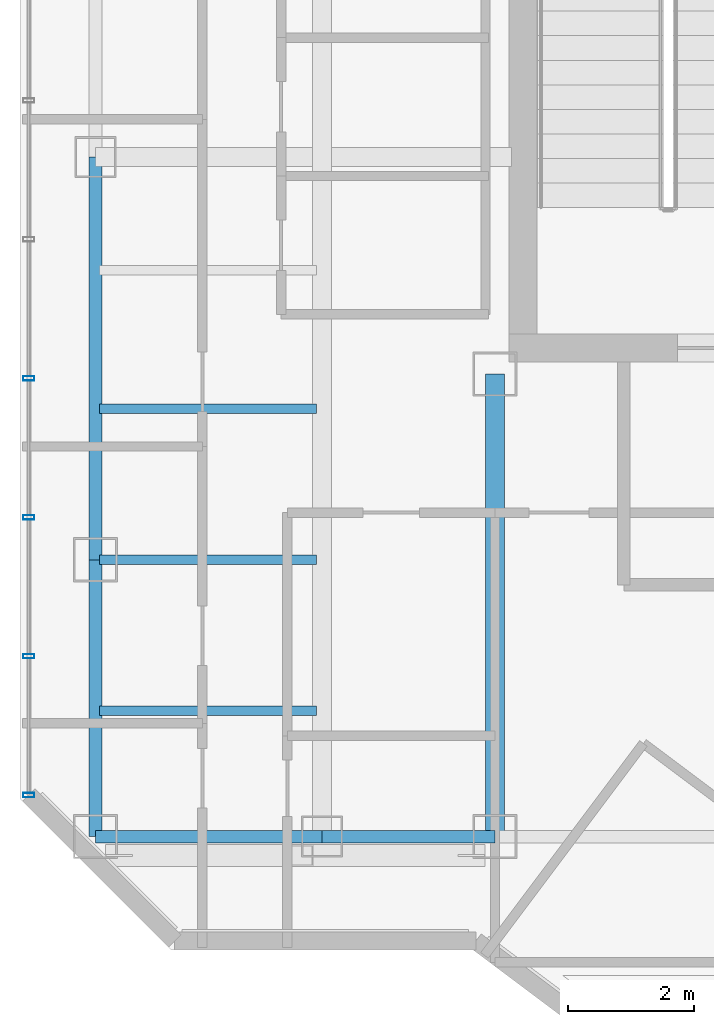
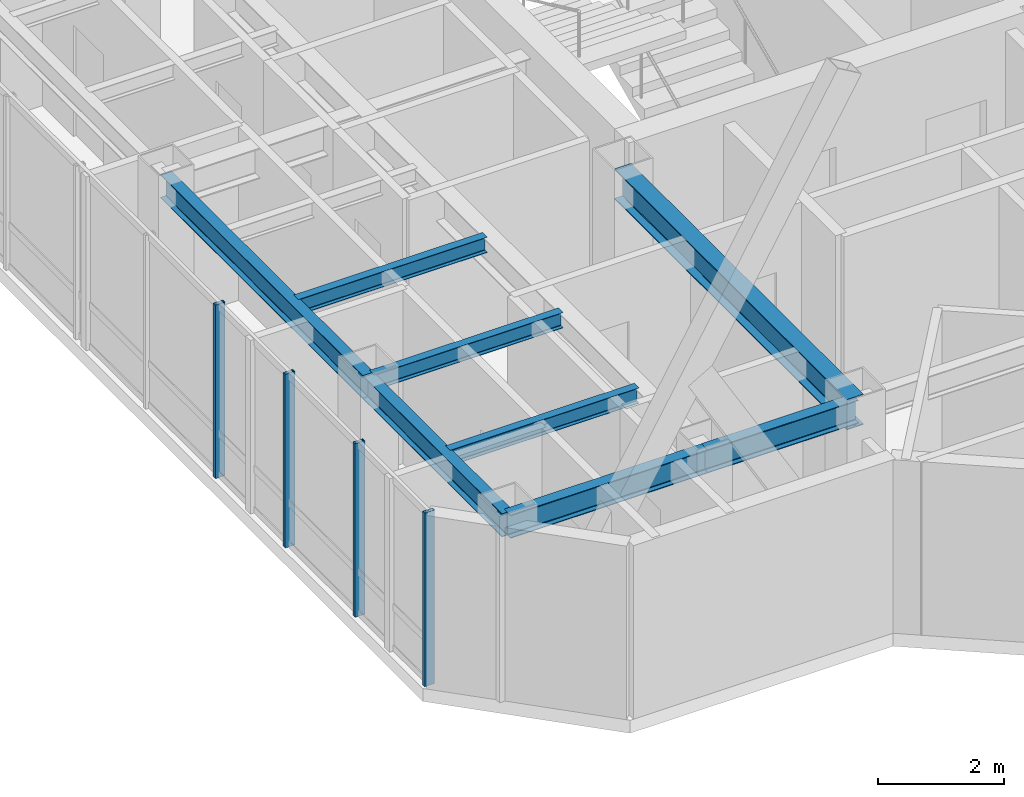
# One storey, part 4 of 25: 8 beams, 4 members, 1 element without a shape of its own.
"""IFC4 building model written with IfcOpenShell, lengths in metres."""

from ifc_helpers import new_model, si_unit, direction, frame, origin, origin_2d, place, context, subcontext, project, spatial, hollow_rectangle, i_section, extrude, material, layer, layer_set, material_profile, profile_set, type_object, element, aggregate, save


model = new_model("IFC4")

# Units and contexts
model_context = context("Model", 3, precision=1e-05, world=origin(), true_north=direction((0.0, 1.0)))
body_context = subcontext(model_context, "Body", "Model", "MODEL_VIEW")
ifc_project = project(units=[si_unit("LENGTHUNIT", "METRE"), si_unit("AREAUNIT", "SQUARE_METRE"), si_unit("VOLUMEUNIT", "CUBIC_METRE"), si_unit("PLANEANGLEUNIT", "RADIAN"), si_unit("MASSUNIT", "GRAM", prefix="KILO")], contexts=[model_context])

# Site, building, storey
site_placement = place(None, origin())
site = spatial("IfcSite", under=ifc_project, at=site_placement, CompositionType="ELEMENT")
building_placement = place(site_placement, origin())
building = spatial("IfcBuilding", under=site, at=building_placement, Name="Hatsunagi Terrace Concourse", CompositionType="ELEMENT")
storey_placement = place(building_placement, frame((0.0, 0.0, 223.949951171875)))
storey = spatial("IfcBuildingStorey", under=building, at=storey_placement, Name="L59", CompositionType="ELEMENT", Elevation=223.949951171875)

# Curtain wall, members
ifc_material_1 = material(Name="Anodised Aluminium Alloy 6063-T5", Category="aluminium")
ifc_layer = layer(ifc_material_1, 0.199951171875)
ifc_layer_set = layer_set([ifc_layer], Name="OfficeZone2_CW04")
curtain_wall_type = type_object("IfcCurtainWallType", Name="OfficeZone2_CW04", PredefinedType="NOTDEFINED", material=ifc_layer_set)
curtain_wall_placement = place(storey_placement, origin())
curtain_wall = element("IfcCurtainWall", 1, at=curtain_wall_placement, inside=storey, type_object=curtain_wall_type, Name="Unitised Curtain Wall CW-04 CW-L59-08", PredefinedType="NOTDEFINED")
ifc_material_2 = material(Name="Anodised Aluminium Alloy 6063-T5", Category="aluminium")
ifc_material_profile_1 = material_profile(ifc_material_2, hollow_rectangle(XDim=0.070068359375, YDim=0.179931640625, WallThickness=0.00390625, at=origin_2d()), Name="ALU-MUL-180x70x4")
ifc_profile_set_1 = profile_set([ifc_material_profile_1], Name="Anodised Aluminium Alloy 6063-T5")
member_type = type_object("IfcMemberType", Name="CurtainWallMullion_180x70", PredefinedType="MULLION", material=ifc_profile_set_1)
member_1_placement = place(storey_placement, frame((18.139892578125, 25.85791015625, 0.0), z_axis=(0.0, 0.0, 1.0), x_axis=(0.0, 1.0, 0.0)))
member_1 = element("IfcMember", 2, at=member_1_placement, type_object=member_type, Name="Curtain Wall Mullion MUL-02", PredefinedType="MULLION", context=body_context, shape_type="SweptSolid", body=[
    extrude(hollow_rectangle(XDim=0.070068359375, YDim=0.179931640625, WallThickness=0.00390625, at=origin_2d()), origin(), (0.0, 0.0, 1.0), 3.35009765625),
])
member_2_placement = place(storey_placement, frame((18.139892578125, 28.06591796875, 0.0), z_axis=(0.0, 0.0, 1.0), x_axis=(0.0, 1.0, 0.0)))
member_2 = element("IfcMember", 3, at=member_2_placement, type_object=member_type, Name="Curtain Wall Mullion MUL-02", PredefinedType="MULLION", context=body_context, shape_type="SweptSolid", body=[
    extrude(hollow_rectangle(XDim=0.070068359375, YDim=0.179931640625, WallThickness=0.00390625, at=origin_2d()), origin(), (0.0, 0.0, 1.0), 3.35009765625),
])
member_3_placement = place(storey_placement, frame((18.139892578125, 30.27490234375, 0.0), z_axis=(0.0, 0.0, 1.0), x_axis=(0.0, 1.0, 0.0)))
member_3 = element("IfcMember", 4, at=member_3_placement, type_object=member_type, Name="Curtain Wall Mullion MUL-02", PredefinedType="MULLION", context=body_context, shape_type="SweptSolid", body=[
    extrude(hollow_rectangle(XDim=0.070068359375, YDim=0.179931640625, WallThickness=0.00390625, at=origin_2d()), origin(), (0.0, 0.0, 1.0), 3.35009765625),
])
member_4_placement = place(storey_placement, frame((18.139892578125, 32.48291015625, 0.0), z_axis=(0.0, 0.0, 1.0), x_axis=(0.0, 1.0, 0.0)))
member_4 = element("IfcMember", 5, at=member_4_placement, type_object=member_type, Name="Curtain Wall Mullion MUL-02", PredefinedType="MULLION", context=body_context, shape_type="SweptSolid", body=[
    extrude(hollow_rectangle(XDim=0.070068359375, YDim=0.179931640625, WallThickness=0.00390625, at=origin_2d()), origin(), (0.0, 0.0, 1.0), 3.35009765625),
])
aggregate(curtain_wall, [member_1, member_2, member_3, member_4])

# Beams
ifc_material_3 = material(Name="Steel SN490B", Category="steel")
ifc_material_profile_2 = material_profile(ifc_material_3, i_section(OverallWidth=0.300048828125, OverallDepth=0.587890625, WebThickness=0.011962890625, FlangeThickness=0.02001953125, FilletRadius=0.01806640625, at=origin_2d()), Name="H-588x300x12x20")
ifc_profile_set_2 = profile_set([ifc_material_profile_2], Name="Steel SN490B")
beam_type_1 = type_object("IfcBeamType", Name="OfficeHighGirder_H_588x300", PredefinedType="BEAM", material=ifc_profile_set_2)
beam_1_placement = place(storey_placement, frame((25.550048828125, 25.199951171875, 3.05615234375), z_axis=(0.0, 1.0, 0.0), x_axis=(-1.0, 0.0, 0.0)))
element("IfcBeam", 6, at=beam_1_placement, inside=storey, type_object=beam_type_1, Name="Beam G-06 BM-L59-K1CA", PredefinedType="BEAM", context=body_context, shape_type="SweptSolid", body=[
    extrude(i_section(OverallWidth=0.300048828125, OverallDepth=0.587890625, WebThickness=0.011962890625, FlangeThickness=0.02001953125, FilletRadius=0.01806640625, at=origin_2d()), origin(), (0.0, 0.0, 1.0), 7.35009765625),
])
ifc_material_4 = material(Name="Steel SN490B", Category="steel")
ifc_material_profile_3 = material_profile(ifc_material_4, i_section(OverallWidth=0.14990234375, OverallDepth=0.300048828125, WebThickness=0.006591796875, FlangeThickness=0.009033203125, FilletRadius=0.010986328125, at=origin_2d()), Name="H-300x150x6.5x9")
ifc_profile_set_3 = profile_set([ifc_material_profile_3], Name="Steel SN490B")
beam_type_2 = type_object("IfcBeamType", Name="OfficeJoist_H_300x150", PredefinedType="JOIST", material=ifc_profile_set_3)
for number, where, z_axis, x_axis, name in (
    (7, (19.264892578125, 27.199951171875, 3.199951171875), (1.0, 0.0, 0.0), (0.0, 1.0, 0.0), "Beam J-03 J-L59-W-19-272"),
    (8, (19.264892578125, 29.60009765625, 3.199951171875), (1.0, 0.0, 0.0), (0.0, 1.0, 0.0), "Beam J-03 J-L59-W-19-296"),
    (9, (19.264892578125, 32.0, 3.199951171875), (1.0, 0.0, 0.0), (0.0, 1.0, 0.0), "Beam J-03 J-L59-W-19-320"),
):
    element("IfcBeam", number, at=place(storey_placement, frame(where, z_axis=z_axis, x_axis=x_axis)), inside=storey, type_object=beam_type_2, Name=name, PredefinedType="JOIST", context=body_context, shape_type="SweptSolid", body=[
        extrude(i_section(OverallWidth=0.14990234375, OverallDepth=0.300048828125, WebThickness=0.006591796875, FlangeThickness=0.009033203125, FilletRadius=0.010986328125, at=origin_2d()), origin(), (0.0, 0.0, 1.0), 3.4501953125),
    ])
ifc_material_5 = material(Name="Steel SN490B", Category="steel")
ifc_material_profile_4 = material_profile(ifc_material_5, i_section(OverallWidth=0.199951171875, OverallDepth=0.449951171875, WebThickness=0.009033203125, FlangeThickness=0.013916015625, FilletRadius=0.01611328125, at=origin_2d()), Name="H-450x200x9x14")
ifc_profile_set_4 = profile_set([ifc_material_profile_4], Name="Steel SN490B")
beam_type_3 = type_object("IfcBeamType", Name="PerimeterSpandrel_H_450x200", PredefinedType="SPANDREL", material=ifc_profile_set_4)
beam_2_placement = place(storey_placement, frame((19.199951171875, 25.199951171875, 3.125), z_axis=(1.0, 0.0, 0.0), x_axis=(0.0, 1.0, 0.0)))
element("IfcBeam", 10, at=beam_2_placement, inside=storey, type_object=beam_type_3, Name="Beam SP-02 BM-L59-WS-19", PredefinedType="SPANDREL", context=body_context, shape_type="SweptSolid", body=[
    extrude(i_section(OverallWidth=0.199951171875, OverallDepth=0.449951171875, WebThickness=0.009033203125, FlangeThickness=0.013916015625, FilletRadius=0.01611328125, at=origin_2d()), origin(), (0.0, 0.0, 1.0), 3.60009765625),
])
beam_3_placement = place(storey_placement, frame((22.800048828125, 25.199951171875, 3.125), z_axis=(1.0, 0.0, 0.0), x_axis=(0.0, 1.0, 0.0)))
element("IfcBeam", 11, at=beam_3_placement, inside=storey, type_object=beam_type_3, Name="Beam SP-02 BM-L59-WS-22", PredefinedType="SPANDREL", context=body_context, shape_type="SweptSolid", body=[
    extrude(i_section(OverallWidth=0.199951171875, OverallDepth=0.449951171875, WebThickness=0.009033203125, FlangeThickness=0.013916015625, FilletRadius=0.01611328125, at=origin_2d()), origin(), (0.0, 0.0, 1.0), 2.75),
])
beam_4_placement = place(storey_placement, frame((19.199951171875, 25.199951171875, 3.125), z_axis=(0.0, 1.0, 0.0), x_axis=(-1.0, 0.0, 0.0)))
element("IfcBeam", 12, at=beam_4_placement, inside=storey, type_object=beam_type_3, Name="Beam SP-02 BM-L59-NS-19-25", PredefinedType="SPANDREL", context=body_context, shape_type="SweptSolid", body=[
    extrude(i_section(OverallWidth=0.199951171875, OverallDepth=0.449951171875, WebThickness=0.009033203125, FlangeThickness=0.013916015625, FilletRadius=0.01611328125, at=origin_2d()), origin(), (0.0, 0.0, 1.0), 4.400146484375),
])
beam_5_placement = place(storey_placement, frame((19.199951171875, 29.60009765625, 3.125), z_axis=(0.0, 1.0, 0.0), x_axis=(-1.0, 0.0, 0.0)))
element("IfcBeam", 13, at=beam_5_placement, inside=storey, type_object=beam_type_3, Name="Beam SP-02 BM-L59-NS-19-29", PredefinedType="SPANDREL", context=body_context, shape_type="SweptSolid", body=[
    extrude(i_section(OverallWidth=0.199951171875, OverallDepth=0.449951171875, WebThickness=0.009033203125, FlangeThickness=0.013916015625, FilletRadius=0.01611328125, at=origin_2d()), origin(), (0.0, 0.0, 1.0), 6.39990234375),
])

save(model, "model.ifc")
